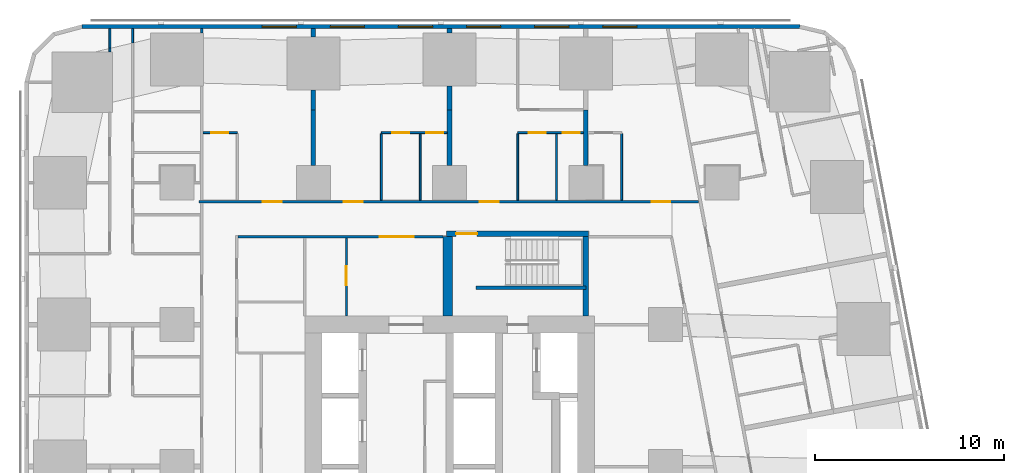
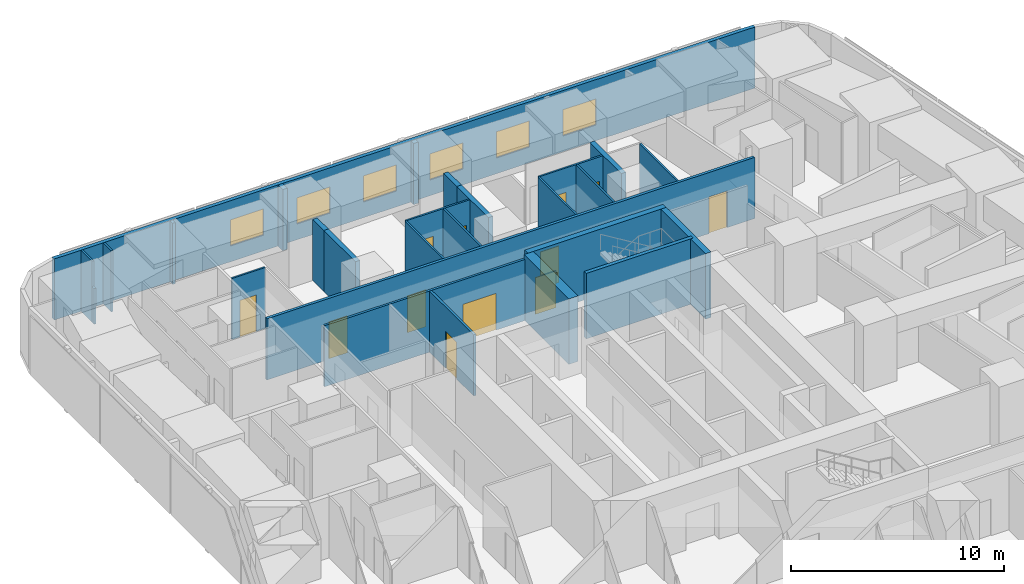
# One storey, part 9 of 15: 27 walls, 12 doors, 6 windows, 18 openings.
"""IFC4 building model written with IfcOpenShell, lengths in metres."""

import ifcopenshell
import ifcopenshell.guid

model = None  # the IFC model being written
_history = None  # IfcOwnerHistory: only IFC2X3 demands one
_inside = {}  # id of a spatial element -> (the spatial element, [elements in it])
_under = {}  # id of a project, library or spatial element -> (it, [spatial elements below it])
_declared = {}  # id of a project -> (the project, [libraries it declares])
_typed = {}  # id of a type object -> (the type object, [elements of that type])
_made_of = {}  # id of a material, layer set ... -> (it, [elements and type objects made of it])


def new_model(schema):
    """Start an empty IFC model of exactly this schema.

    Asked for "IFC4X3", IfcOpenShell would pick the latest addendum, in which some entities
    have other attributes; the version numbers below select the first issue.
    IFC2X3 requires an IfcOwnerHistory on every rooted entity: one is made here for all.
    """
    global model, _history
    if schema == "IFC4X3":
        model = ifcopenshell.file(schema_version=(4, 3, 0, 0))
    else:
        model = ifcopenshell.file(schema=schema)
    _inside.clear()
    _under.clear()
    _declared.clear()
    _typed.clear()
    _made_of.clear()
    _history = None
    if model.schema == "IFC2X3":
        org = make("IfcOrganization", Name="unknown")
        user = make(
            "IfcPersonAndOrganization",
            ThePerson=make("IfcPerson", FamilyName="unknown"),
            TheOrganization=org,
        )
        app = make(
            "IfcApplication",
            ApplicationDeveloper=org,
            Version="unknown",
            ApplicationFullName="unknown",
            ApplicationIdentifier="unknown",
        )
        _history = make(
            "IfcOwnerHistory",
            OwningUser=user,
            OwningApplication=app,
            ChangeAction="ADDED",
            CreationDate=0,
        )
    return model


def make(cls, **values):
    """One entity of the class cls with the attributes given. An attribute that is None is left unset."""
    return model.create_entity(
        cls, **{name: value for name, value in values.items() if value is not None}
    )


def rooted(cls, **values):
    """An entity with a GlobalId (a new one), such as an element, a storey or a relation."""
    return make(cls, GlobalId=ifcopenshell.guid.new(), OwnerHistory=_history, **values)


def si_unit(unit_type, name, prefix=None):
    """IfcSIUnit, for example si_unit("LENGTHUNIT", "METRE", prefix="MILLI")."""
    return make("IfcSIUnit", UnitType=unit_type, Prefix=prefix, Name=name)


def assignment(units):
    """IfcUnitAssignment: the units of a project."""
    return None if units is None else make("IfcUnitAssignment", Units=units)


def point(xyz):
    """IfcCartesianPoint."""
    return None if xyz is None else make("IfcCartesianPoint", Coordinates=xyz)


def direction(xyz):
    """IfcDirection."""
    return None if xyz is None else make("IfcDirection", DirectionRatios=xyz)


def frame(location, z_axis=None, x_axis=None):
    """IfcAxis2Placement3D, a coordinate frame: its origin and axes. An axis left out is left unset."""
    return make(
        "IfcAxis2Placement3D",
        Location=point(location),
        Axis=direction(z_axis),
        RefDirection=direction(x_axis),
    )


def frame_2d(location, x_axis=None):
    """IfcAxis2Placement2D, a coordinate frame in the plane: its origin and x axis."""
    return make(
        "IfcAxis2Placement2D", Location=point(location), RefDirection=direction(x_axis)
    )


def origin():
    """The frame at (0, 0, 0) with its axes left unset."""
    return frame((0.0, 0.0, 0.0))


def place(relative_to, where):
    """IfcLocalPlacement: puts the frame where relative to a parent placement (None: the world)."""
    return make(
        "IfcLocalPlacement", PlacementRelTo=relative_to, RelativePlacement=where
    )


def context(
    kind, dimensions, precision=None, world=None, true_north=None, identifier=None
):
    """IfcGeometricRepresentationContext, for example the 3D "Model" context."""
    return make(
        "IfcGeometricRepresentationContext",
        ContextIdentifier=identifier,
        ContextType=kind,
        CoordinateSpaceDimension=dimensions,
        Precision=precision,
        WorldCoordinateSystem=world,
        TrueNorth=true_north,
    )


def subcontext(parent, identifier, kind, view, scale=None):
    """IfcGeometricRepresentationSubContext, for example "Body" below "Model"."""
    return make(
        "IfcGeometricRepresentationSubContext",
        ContextIdentifier=identifier,
        ContextType=kind,
        ParentContext=parent,
        TargetScale=scale,
        TargetView=view,
    )


def project(units=None, contexts=None):
    """IfcProject with its units and contexts."""
    return rooted(
        "IfcProject",
        Name="project",
        RepresentationContexts=contexts,
        UnitsInContext=assignment(units),
    )


def spatial(cls, under=None, at=None, **own):
    """A site, building, storey or space (cls), placed at a placement, below another one or the project."""
    s = rooted(cls, ObjectPlacement=at, **own)
    if under is not None:
        _under.setdefault(under.id(), (under, []))[1].append(s)
    return s


def profile(cls, at=None, kind="AREA", **sizes):
    """A parametric profile (cls). Its sizes go by their IFC names, for example OverallWidth=200.0."""
    return make(cls, ProfileType=kind, Position=at, **sizes)


def rectangle(**sizes):
    """IfcRectangleProfileDef."""
    return profile("IfcRectangleProfileDef", **sizes)


def extrude(swept, where, along, depth):
    """IfcExtrudedAreaSolid: the profile swept, set in the frame where, extruded along a direction by depth."""
    return make(
        "IfcExtrudedAreaSolid",
        SweptArea=swept,
        Position=where,
        ExtrudedDirection=direction(along),
        Depth=depth,
    )


def shape(context_of_items, identifier, shape_type, items):
    """IfcShapeRepresentation: the items that make up one representation, for example the "Body"."""
    return make(
        "IfcShapeRepresentation",
        ContextOfItems=context_of_items,
        RepresentationIdentifier=identifier,
        RepresentationType=shape_type,
        Items=items,
    )


def material(Name=None, Category=None):
    """IfcMaterial."""
    return make("IfcMaterial", Name=Name, Category=Category)


def layer(
    of_material, thickness, ventilated=None, Name=None, Category=None, Priority=None
):
    """IfcMaterialLayer: one layer of a wall or slab, of a material (None: an air gap)."""
    return make(
        "IfcMaterialLayer",
        Material=of_material,
        LayerThickness=thickness,
        IsVentilated=ventilated,
        Name=Name,
        Category=Category,
        Priority=Priority,
    )


def layer_set(layers, Name=None):
    """IfcMaterialLayerSet."""
    return make("IfcMaterialLayerSet", MaterialLayers=layers, LayerSetName=Name)


def made_of(thing, what):
    """Note that an element or type object is made of a material, layer set ...; save() writes the relation."""
    if what is not None:
        _made_of.setdefault(what.id(), (what, []))[1].append(thing)
    return thing


def type_object(cls, material=None, **own):
    """A type object (cls), such as IfcWallType, which elements share."""
    return made_of(rooted(cls, **own), material)


def element(
    cls,
    number,
    at=None,
    inside=None,
    cuts=None,
    type_object=None,
    material=None,
    context=None,
    identifier="Body",
    shape_type=None,
    held_by="IfcProductDefinitionShape",
    body=None,
    shapes=None,
    **own,
):
    """One element of the class cls, such as IfcWall. Its Tag is "e" and its number.

    at: its placement. inside: the storey or other place that contains it. cuts: it is an
    opening in that element (IfcRelVoidsElement). A single representation is given by context,
    identifier, shape_type and body (its items); several are given by shapes. held_by: the class
    of the entity that holds the representations. save() writes the other relations.
    """
    e = rooted(cls, Tag="e%d" % number, ObjectPlacement=at, **own)
    if body is not None:
        shapes = [shape(context, identifier, shape_type, body)]
    if shapes is not None:
        e.Representation = make(held_by, Representations=shapes)
    if inside is not None:
        _inside.setdefault(inside.id(), (inside, []))[1].append(e)
    if cuts is not None:
        rooted(
            "IfcRelVoidsElement", RelatingBuildingElement=cuts, RelatedOpeningElement=e
        )
    if type_object is not None:
        _typed.setdefault(type_object.id(), (type_object, []))[1].append(e)
    return made_of(e, material)


def fill(opening, filler):
    """IfcRelFillsElement: the door or window that sits in an opening."""
    return rooted(
        "IfcRelFillsElement",
        RelatingOpeningElement=opening,
        RelatedBuildingElement=filler,
    )


def aggregate(whole, parts):
    """IfcRelAggregates: a whole, such as a stair, and the parts it consists of."""
    return rooted("IfcRelAggregates", RelatingObject=whole, RelatedObjects=parts)


def save(model, path):
    """Write the relations noted so far, then the file.

    IfcRelAggregates (storeys below a building ...), IfcRelContainedInSpatialStructure (elements
    in a storey), IfcRelDefinesByType, IfcRelAssociatesMaterial and IfcRelDeclares: one each for
    every whole, place, type object, material and project.
    """
    for whole, parts in _under.values():
        aggregate(whole, parts)
    for where, things in _inside.values():
        rooted(
            "IfcRelContainedInSpatialStructure",
            RelatedElements=things,
            RelatingStructure=where,
        )
    for kind, things in _typed.values():
        rooted("IfcRelDefinesByType", RelatedObjects=things, RelatingType=kind)
    for what, things in _made_of.values():
        rooted("IfcRelAssociatesMaterial", RelatedObjects=things, RelatingMaterial=what)
    for by, libraries in _declared.values():
        rooted("IfcRelDeclares", RelatingContext=by, RelatedDefinitions=libraries)
    model.write(path)


model = new_model("IFC4")

# Units and contexts
model_context = context("Model", 3, precision=1e-05, world=origin(), true_north=direction((0.0, 1.0)))
body_context = subcontext(model_context, "Body", "Model", "MODEL_VIEW")
ifc_project = project(units=[si_unit("LENGTHUNIT", "METRE"), si_unit("AREAUNIT", "SQUARE_METRE"), si_unit("VOLUMEUNIT", "CUBIC_METRE"), si_unit("PLANEANGLEUNIT", "RADIAN"), si_unit("MASSUNIT", "GRAM", prefix="KILO")], contexts=[model_context])

# Site, building, storey
site_placement = place(None, origin())
site = spatial("IfcSite", under=ifc_project, at=site_placement, CompositionType="ELEMENT")
building_placement = place(site_placement, origin())
building = spatial("IfcBuilding", under=site, at=building_placement, Name="Sheger Commons Tower", CompositionType="ELEMENT")
storey_placement = place(building_placement, frame((0.0, 0.0, 46.25)))
storey = spatial("IfcBuildingStorey", under=building, at=storey_placement, Name="L11", CompositionType="ELEMENT", Elevation=46.25)

# Wall
ifc_material_1 = material(Name="Hollow concrete block masonry, skimmed both sides", Category="masonry")
ifc_layer_1 = layer(ifc_material_1, 0.14990234375)
ifc_layer_set_1 = layer_set([ifc_layer_1], Name="CORRIDOR WALL 150")
wall_type_1 = type_object("IfcWallType", Name="CORRIDOR WALL 150", PredefinedType="SOLIDWALL", material=ifc_layer_set_1)
wall_1_placement = place(storey_placement, frame((8.5, 45.40087890625, 0.0), z_axis=(0.0, 0.0, 1.0), x_axis=(0.0, 1.0, 0.0)))
element("IfcWall", 1, at=wall_1_placement, inside=storey, type_object=wall_type_1, Name="Corridor wall L11", PredefinedType="SOLIDWALL", context=body_context, shape_type="SweptSolid", body=[
    extrude(rectangle(XDim=0.2490234375, YDim=0.14990234375, at=frame_2d((0.12451171875, 0.0))), origin(), (0.0, 0.0, 1.0), 3.5),
])

# Wall, openings, doors
wall_2_placement = place(storey_placement, frame((8.35009765625, 36.5, 0.0), z_axis=(0.0, 0.0, 1.0), x_axis=(1.0, 0.0, 0.0)))
wall_2 = element("IfcWall", 2, at=wall_2_placement, inside=storey, type_object=wall_type_1, Name="Corridor wall L11", PredefinedType="SOLIDWALL", context=body_context, shape_type="SweptSolid", body=[
    extrude(rectangle(XDim=26.414794921875, YDim=0.14990234375, at=frame_2d((13.20751953125, 0.0))), origin(), (0.0, 0.0, 1.0), 3.5),
])
opening_1_placement = place(wall_2_placement, frame((3.383056640625, 0.0, 0.0)))
opening_1 = element("IfcOpeningElement", 3, at=opening_1_placement, cuts=wall_2, Name="Opening D1", PredefinedType="OPENING", context=body_context, shape_type="SweptSolid", body=[
    extrude(rectangle(XDim=1.0, YDim=2.10009765625, at=frame_2d((0.5, 1.050048828125))), frame((0.0, 0.0849609375, 0.0), z_axis=(0.0, -1.0, 0.0), x_axis=(1.0, 0.0, 0.0)), (0.0, 0.0, 1.0), 0.169921875),
])
opening_2_placement = place(wall_2_placement, frame((7.64990234375, 0.0, 0.0)))
opening_2 = element("IfcOpeningElement", 4, at=opening_2_placement, cuts=wall_2, Name="Opening D1", PredefinedType="OPENING", context=body_context, shape_type="SweptSolid", body=[
    extrude(rectangle(XDim=1.0, YDim=2.10009765625, at=frame_2d((0.5, 1.050048828125))), frame((0.0, 0.0849609375, 0.0), z_axis=(0.0, -1.0, 0.0), x_axis=(1.0, 0.0, 0.0)), (0.0, 0.0, 1.0), 0.169921875),
])
opening_3_placement = place(wall_2_placement, frame((14.85009765625, 0.0, 0.0)))
opening_3 = element("IfcOpeningElement", 5, at=opening_3_placement, cuts=wall_2, Name="Opening D1", PredefinedType="OPENING", context=body_context, shape_type="SweptSolid", body=[
    extrude(rectangle(XDim=1.0, YDim=2.10009765625, at=frame_2d((0.5, 1.050048828125))), frame((0.0, 0.0849609375, 0.0), z_axis=(0.0, -1.0, 0.0), x_axis=(1.0, 0.0, 0.0)), (0.0, 0.0, 1.0), 0.169921875),
])
opening_4_placement = place(wall_2_placement, frame((23.923095703125, 0.0, 0.0)))
opening_4 = element("IfcOpeningElement", 6, at=opening_4_placement, cuts=wall_2, Name="Opening D1", PredefinedType="OPENING", context=body_context, shape_type="SweptSolid", body=[
    extrude(rectangle(XDim=1.0, YDim=2.10009765625, at=frame_2d((0.5, 1.050048828125))), frame((0.0, 0.0849609375, 0.0), z_axis=(0.0, -1.0, 0.0), x_axis=(1.0, 0.0, 0.0)), (0.0, 0.0, 1.0), 0.169921875),
])
ifc_material_2 = material(Name="Steel door set, fire rated", Category="steel")
door_type_1 = type_object("IfcDoorType", Name="FLAT ENTRANCE DOOR 1000x2100", OperationType="NOTDEFINED", PredefinedType="DOOR", material=ifc_material_2)
door_1_placement = place(opening_1_placement, origin())
door_1 = element("IfcDoor", 7, at=door_1_placement, inside=storey, type_object=door_type_1, Name="Flat entrance door", OperationType="SINGLE_SWING_RIGHT", OverallHeight=2.10009765625, OverallWidth=1.0, PredefinedType="DOOR", context=body_context, shape_type="SweptSolid", body=[
    extrude(rectangle(XDim=1.0, YDim=2.10009765625, at=frame_2d((0.5, 1.050048828125))), frame((0.0, 0.02490234375, 0.0), z_axis=(0.0, -1.0, 0.0), x_axis=(1.0, 0.0, 0.0)), (0.0, 0.0, 1.0), 0.050048828125),
])
fill(opening_1, door_1)
door_2_placement = place(opening_2_placement, origin())
door_2 = element("IfcDoor", 8, at=door_2_placement, inside=storey, type_object=door_type_1, Name="Flat entrance door", OperationType="SINGLE_SWING_RIGHT", OverallHeight=2.10009765625, OverallWidth=1.0, PredefinedType="DOOR", context=body_context, shape_type="SweptSolid", body=[
    extrude(rectangle(XDim=1.0, YDim=2.10009765625, at=frame_2d((0.5, 1.050048828125))), frame((0.0, 0.02490234375, 0.0), z_axis=(0.0, -1.0, 0.0), x_axis=(1.0, 0.0, 0.0)), (0.0, 0.0, 1.0), 0.050048828125),
])
fill(opening_2, door_2)
door_3_placement = place(opening_3_placement, origin())
door_3 = element("IfcDoor", 9, at=door_3_placement, inside=storey, type_object=door_type_1, Name="Flat entrance door", OperationType="SINGLE_SWING_RIGHT", OverallHeight=2.10009765625, OverallWidth=1.0, PredefinedType="DOOR", context=body_context, shape_type="SweptSolid", body=[
    extrude(rectangle(XDim=1.0, YDim=2.10009765625, at=frame_2d((0.5, 1.050048828125))), frame((0.0, 0.02490234375, 0.0), z_axis=(0.0, -1.0, 0.0), x_axis=(1.0, 0.0, 0.0)), (0.0, 0.0, 1.0), 0.050048828125),
])
fill(opening_3, door_3)
door_4_placement = place(opening_4_placement, origin())
door_4 = element("IfcDoor", 10, at=door_4_placement, inside=storey, type_object=door_type_1, Name="Flat entrance door", OperationType="SINGLE_SWING_RIGHT", OverallHeight=2.10009765625, OverallWidth=1.0, PredefinedType="DOOR", context=body_context, shape_type="SweptSolid", body=[
    extrude(rectangle(XDim=1.0, YDim=2.10009765625, at=frame_2d((0.5, 1.050048828125))), frame((0.0, 0.02490234375, 0.0), z_axis=(0.0, -1.0, 0.0), x_axis=(1.0, 0.0, 0.0)), (0.0, 0.0, 1.0), 0.050048828125),
])
fill(opening_4, door_4)

# Walls
ifc_material_3 = material(Name="Dense concrete block masonry, plastered both sides (separating wall between flats)", Category="masonry")
ifc_layer_2 = layer(ifc_material_3, 0.25)
ifc_layer_set_2 = layer_set([ifc_layer_2], Name="DEMISING WALL 250")
wall_type_2 = type_object("IfcWallType", Name="DEMISING WALL 250", PredefinedType="SOLIDWALL", material=ifc_layer_set_2)
wall_3_placement = place(storey_placement, frame((14.39990234375, 41.35009765625, 0.0), z_axis=(0.0, 0.0, 1.0), x_axis=(0.0, 1.0, 0.0)))
element("IfcWall", 11, at=wall_3_placement, inside=storey, type_object=wall_type_2, Name="Demising wall L11", PredefinedType="SOLIDWALL", context=body_context, shape_type="SweptSolid", body=[
    extrude(rectangle(XDim=1.048828125, YDim=0.25, at=frame_2d((0.5244140625, 0.0))), origin(), (0.0, 0.0, 1.0), 3.5),
])
wall_4_placement = place(storey_placement, frame((14.39990234375, 45.200927734375, 0.0), z_axis=(0.0, 0.0, 1.0), x_axis=(0.0, 1.0, 0.0)))
element("IfcWall", 12, at=wall_4_placement, inside=storey, type_object=wall_type_2, Name="Demising wall L11", PredefinedType="SOLIDWALL", context=body_context, shape_type="SweptSolid", body=[
    extrude(rectangle(XDim=0.448974609375, YDim=0.25, at=frame_2d((0.224609375, 0.0))), origin(), (0.0, 0.0, 1.0), 3.5),
])
wall_5_placement = place(storey_placement, frame((14.39990234375, 38.40087890625, 0.0), z_axis=(0.0, 0.0, 1.0), x_axis=(0.0, 1.0, 0.0)))
element("IfcWall", 13, at=wall_5_placement, inside=storey, type_object=wall_type_2, Name="Demising wall L11", PredefinedType="SOLIDWALL", context=body_context, shape_type="SweptSolid", body=[
    extrude(rectangle(XDim=2.94921875, YDim=0.25, at=frame_2d((1.474609375, 0.0))), origin(), (0.0, 0.0, 1.0), 3.5),
])
wall_6_placement = place(storey_placement, frame((21.60009765625, 41.35009765625, 0.0), z_axis=(0.0, 0.0, 1.0), x_axis=(0.0, 1.0, 0.0)))
element("IfcWall", 14, at=wall_6_placement, inside=storey, type_object=wall_type_2, Name="Demising wall L11", PredefinedType="SOLIDWALL", context=body_context, shape_type="SweptSolid", body=[
    extrude(rectangle(XDim=1.2490234375, YDim=0.25, at=frame_2d((0.62451171875, 0.0))), origin(), (0.0, 0.0, 1.0), 3.5),
])
wall_7_placement = place(storey_placement, frame((21.60009765625, 45.40087890625, 0.0), z_axis=(0.0, 0.0, 1.0), x_axis=(0.0, 1.0, 0.0)))
element("IfcWall", 15, at=wall_7_placement, inside=storey, type_object=wall_type_2, Name="Demising wall L11", PredefinedType="SOLIDWALL", context=body_context, shape_type="SweptSolid", body=[
    extrude(rectangle(XDim=0.2490234375, YDim=0.25, at=frame_2d((0.12451171875, 0.0))), origin(), (0.0, 0.0, 1.0), 3.5),
])
for number, where, z_axis, x_axis, name in (
    (16, (21.60009765625, 38.40087890625, 0.0), (0.0, 0.0, 1.0), (0.0, 1.0, 0.0), "Demising wall L11"),
    (17, (28.800048828125, 38.40087890625, 0.0), (0.0, 0.0, 1.0), (0.0, 1.0, 0.0), "Demising wall L11"),
):
    element("IfcWall", number, at=place(storey_placement, frame(where, z_axis=z_axis, x_axis=x_axis)), inside=storey, type_object=wall_type_2, Name=name, PredefinedType="SOLIDWALL", context=body_context, shape_type="SweptSolid", body=[
        extrude(rectangle(XDim=2.94921875, YDim=0.25, at=frame_2d((1.474609375, 0.0))), origin(), (0.0, 0.0, 1.0), 3.5),
    ])

# Wall, openings, windows
ifc_material_4 = material(Name="Rendered concrete block masonry, dark grey", Category="masonry")
ifc_layer_3 = layer(ifc_material_4, 0.199951171875)
ifc_layer_set_3 = layer_set([ifc_layer_3], Name="FACADE WALL 200")
wall_type_3 = type_object("IfcWallType", Name="FACADE WALL 200", PredefinedType="SOLIDWALL", material=ifc_layer_set_3)
wall_8_placement = place(storey_placement, frame((40.10595703125, 45.75, 0.0), z_axis=(0.0, 0.0, 1.0), x_axis=(-1.0, 0.0, 0.0)))
wall_8 = element("IfcWall", 18, at=wall_8_placement, inside=storey, type_object=wall_type_3, Name="Facade wall L11", PredefinedType="SOLIDWALL", context=body_context, shape_type="SweptSolid", body=[
    extrude(rectangle(XDim=37.94287109375, YDim=0.199951171875, at=frame_2d((18.971435546875, 0.0))), origin(), (0.0, 0.0, 1.0), 3.5),
])
opening_5_placement = place(wall_8_placement, frame((8.60595703125, 0.0, 0.89990234375)))
opening_5 = element("IfcOpeningElement", 19, at=opening_5_placement, cuts=wall_8, Name="Opening W2", PredefinedType="OPENING", context=body_context, shape_type="SweptSolid", body=[
    extrude(rectangle(XDim=1.800048828125, YDim=1.5, at=frame_2d((0.89990234375, 0.75))), frame((0.0, 0.10986328125, 0.0), z_axis=(0.0, -1.0, 0.0), x_axis=(1.0, 0.0, 0.0)), (0.0, 0.0, 1.0), 0.219970703125),
])
opening_6_placement = place(wall_8_placement, frame((12.2060546875, 0.0, 0.89990234375)))
opening_6 = element("IfcOpeningElement", 20, at=opening_6_placement, cuts=wall_8, Name="Opening W2", PredefinedType="OPENING", context=body_context, shape_type="SweptSolid", body=[
    extrude(rectangle(XDim=1.800048828125, YDim=1.5, at=frame_2d((0.89990234375, 0.75))), frame((0.0, 0.10986328125, 0.0), z_axis=(0.0, -1.0, 0.0), x_axis=(1.0, 0.0, 0.0)), (0.0, 0.0, 1.0), 0.219970703125),
])
opening_7_placement = place(wall_8_placement, frame((15.805908203125, 0.0, 0.89990234375)))
opening_7 = element("IfcOpeningElement", 21, at=opening_7_placement, cuts=wall_8, Name="Opening W2", PredefinedType="OPENING", context=body_context, shape_type="SweptSolid", body=[
    extrude(rectangle(XDim=1.800048828125, YDim=1.5, at=frame_2d((0.89990234375, 0.75))), frame((0.0, 0.10986328125, 0.0), z_axis=(0.0, -1.0, 0.0), x_axis=(1.0, 0.0, 0.0)), (0.0, 0.0, 1.0), 0.219970703125),
])
opening_8_placement = place(wall_8_placement, frame((19.406005859375, 0.0, 0.89990234375)))
opening_8 = element("IfcOpeningElement", 22, at=opening_8_placement, cuts=wall_8, Name="Opening W2", PredefinedType="OPENING", context=body_context, shape_type="SweptSolid", body=[
    extrude(rectangle(XDim=1.800048828125, YDim=1.5, at=frame_2d((0.89990234375, 0.75))), frame((0.0, 0.10986328125, 0.0), z_axis=(0.0, -1.0, 0.0), x_axis=(1.0, 0.0, 0.0)), (0.0, 0.0, 1.0), 0.219970703125),
])
opening_9_placement = place(wall_8_placement, frame((23.006103515625, 0.0, 0.89990234375)))
opening_9 = element("IfcOpeningElement", 23, at=opening_9_placement, cuts=wall_8, Name="Opening W2", PredefinedType="OPENING", context=body_context, shape_type="SweptSolid", body=[
    extrude(rectangle(XDim=1.800048828125, YDim=1.5, at=frame_2d((0.89990234375, 0.75))), frame((0.0, 0.10986328125, 0.0), z_axis=(0.0, -1.0, 0.0), x_axis=(1.0, 0.0, 0.0)), (0.0, 0.0, 1.0), 0.219970703125),
])
opening_10_placement = place(wall_8_placement, frame((26.60595703125, 0.0, 0.89990234375)))
opening_10 = element("IfcOpeningElement", 24, at=opening_10_placement, cuts=wall_8, Name="Opening W2", PredefinedType="OPENING", context=body_context, shape_type="SweptSolid", body=[
    extrude(rectangle(XDim=1.800048828125, YDim=1.5, at=frame_2d((0.89990234375, 0.75))), frame((0.0, 0.10986328125, 0.0), z_axis=(0.0, -1.0, 0.0), x_axis=(1.0, 0.0, 0.0)), (0.0, 0.0, 1.0), 0.219970703125),
])
ifc_material_5 = material(Name="Black aluminium frame, dark tinted double glazing", Category="aluminium")
window_type = type_object("IfcWindowType", Name="WINDOW W2 1800x1500", PartitioningType="SINGLE_PANEL", PredefinedType="WINDOW", material=ifc_material_5)
window_1_placement = place(opening_5_placement, origin())
window_1 = element("IfcWindow", 25, at=window_1_placement, inside=storey, type_object=window_type, Name="Window W2 1800X1500", OverallHeight=1.5, OverallWidth=1.800048828125, PartitioningType="SINGLE_PANEL", PredefinedType="WINDOW", context=body_context, shape_type="SweptSolid", body=[
    extrude(rectangle(XDim=1.800048828125, YDim=1.5, at=frame_2d((0.89990234375, 0.75))), frame((0.0, 0.030029296875, 0.0), z_axis=(0.0, -1.0, 0.0), x_axis=(1.0, 0.0, 0.0)), (0.0, 0.0, 1.0), 0.06005859375),
])
fill(opening_5, window_1)
window_2_placement = place(opening_6_placement, origin())
window_2 = element("IfcWindow", 26, at=window_2_placement, inside=storey, type_object=window_type, Name="Window W2 1800X1500", OverallHeight=1.5, OverallWidth=1.800048828125, PartitioningType="SINGLE_PANEL", PredefinedType="WINDOW", context=body_context, shape_type="SweptSolid", body=[
    extrude(rectangle(XDim=1.800048828125, YDim=1.5, at=frame_2d((0.89990234375, 0.75))), frame((0.0, 0.030029296875, 0.0), z_axis=(0.0, -1.0, 0.0), x_axis=(1.0, 0.0, 0.0)), (0.0, 0.0, 1.0), 0.06005859375),
])
fill(opening_6, window_2)
window_3_placement = place(opening_7_placement, origin())
window_3 = element("IfcWindow", 27, at=window_3_placement, inside=storey, type_object=window_type, Name="Window W2 1800X1500", OverallHeight=1.5, OverallWidth=1.800048828125, PartitioningType="SINGLE_PANEL", PredefinedType="WINDOW", context=body_context, shape_type="SweptSolid", body=[
    extrude(rectangle(XDim=1.800048828125, YDim=1.5, at=frame_2d((0.89990234375, 0.75))), frame((0.0, 0.030029296875, 0.0), z_axis=(0.0, -1.0, 0.0), x_axis=(1.0, 0.0, 0.0)), (0.0, 0.0, 1.0), 0.06005859375),
])
fill(opening_7, window_3)
window_4_placement = place(opening_8_placement, origin())
window_4 = element("IfcWindow", 28, at=window_4_placement, inside=storey, type_object=window_type, Name="Window W2 1800X1500", OverallHeight=1.5, OverallWidth=1.800048828125, PartitioningType="SINGLE_PANEL", PredefinedType="WINDOW", context=body_context, shape_type="SweptSolid", body=[
    extrude(rectangle(XDim=1.800048828125, YDim=1.5, at=frame_2d((0.89990234375, 0.75))), frame((0.0, 0.030029296875, 0.0), z_axis=(0.0, -1.0, 0.0), x_axis=(1.0, 0.0, 0.0)), (0.0, 0.0, 1.0), 0.06005859375),
])
fill(opening_8, window_4)
window_5_placement = place(opening_9_placement, origin())
window_5 = element("IfcWindow", 29, at=window_5_placement, inside=storey, type_object=window_type, Name="Window W2 1800X1500", OverallHeight=1.5, OverallWidth=1.800048828125, PartitioningType="SINGLE_PANEL", PredefinedType="WINDOW", context=body_context, shape_type="SweptSolid", body=[
    extrude(rectangle(XDim=1.800048828125, YDim=1.5, at=frame_2d((0.89990234375, 0.75))), frame((0.0, 0.030029296875, 0.0), z_axis=(0.0, -1.0, 0.0), x_axis=(1.0, 0.0, 0.0)), (0.0, 0.0, 1.0), 0.06005859375),
])
fill(opening_9, window_5)
window_6_placement = place(opening_10_placement, origin())
window_6 = element("IfcWindow", 30, at=window_6_placement, inside=storey, type_object=window_type, Name="Window W2 1800X1500", OverallHeight=1.5, OverallWidth=1.800048828125, PartitioningType="SINGLE_PANEL", PredefinedType="WINDOW", context=body_context, shape_type="SweptSolid", body=[
    extrude(rectangle(XDim=1.800048828125, YDim=1.5, at=frame_2d((0.89990234375, 0.75))), frame((0.0, 0.030029296875, 0.0), z_axis=(0.0, -1.0, 0.0), x_axis=(1.0, 0.0, 0.0)), (0.0, 0.0, 1.0), 0.06005859375),
])
fill(opening_10, window_6)

# Walls
ifc_material_6 = material(Name="Gypsum board on steel studs", Category="steel")
ifc_layer_4 = layer(ifc_material_6, 0.10009765625)
ifc_layer_set_4 = layer_set([ifc_layer_4], Name="PARTITION 100")
wall_type_4 = type_object("IfcWallType", Name="PARTITION 100", PredefinedType="PARTITIONING", material=ifc_layer_set_4)
wall_9_placement = place(storey_placement, frame((3.64990234375, 44.4150390625, 0.0), z_axis=(0.0, 0.0, 1.0), x_axis=(0.0, 1.0, 0.0)))
element("IfcWall", 31, at=wall_9_placement, inside=storey, type_object=wall_type_4, Name="Partition L11", PredefinedType="PARTITIONING", context=body_context, shape_type="SweptSolid", body=[
    extrude(rectangle(XDim=0.196044921875, YDim=0.10009765625, at=frame_2d((0.09814453125, 0.0))), origin(), (0.0, 0.0, 1.0), 2.050048828125),
])
wall_10_placement = place(storey_placement, frame((3.64990234375, 44.611083984375, 0.0), z_axis=(0.0, 0.0, 1.0), x_axis=(0.0, 1.0, 0.0)))
element("IfcWall", 32, at=wall_10_placement, inside=storey, type_object=wall_type_4, Name="Partition L11", PredefinedType="PARTITIONING", context=body_context, shape_type="SweptSolid", body=[
    extrude(rectangle(XDim=1.038818359375, YDim=0.10009765625, at=frame_2d((0.51953125, 0.0))), origin(), (0.0, 0.0, 1.0), 3.5),
])
wall_11_placement = place(storey_placement, frame((4.85009765625, 44.89501953125, 0.0), z_axis=(0.0, 0.0, 1.0), x_axis=(0.0, 1.0, 0.0)))
element("IfcWall", 33, at=wall_11_placement, inside=storey, type_object=wall_type_4, Name="Partition L11", PredefinedType="PARTITIONING", context=body_context, shape_type="SweptSolid", body=[
    extrude(rectangle(XDim=0.7548828125, YDim=0.10009765625, at=frame_2d((0.37744140625, 0.0))), origin(), (0.0, 0.0, 1.0), 3.5),
])

# Wall, opening, door
wall_12_placement = place(storey_placement, frame((8.574951171875, 40.14990234375, 0.0), z_axis=(0.0, 0.0, 1.0), x_axis=(1.0, 0.0, 0.0)))
wall_12 = element("IfcWall", 34, at=wall_12_placement, inside=storey, type_object=wall_type_4, Name="Partition L11", PredefinedType="PARTITIONING", context=body_context, shape_type="SweptSolid", body=[
    extrude(rectangle(XDim=1.81494140625, YDim=0.10009765625, at=frame_2d((0.907470703125, 0.0))), origin(), (0.0, 0.0, 1.0), 3.5),
])
opening_11_placement = place(wall_12_placement, frame((0.425048828125, 0.0, 0.0)))
opening_11 = element("IfcOpeningElement", 35, at=opening_11_placement, cuts=wall_12, Name="Opening D2", PredefinedType="OPENING", context=body_context, shape_type="SweptSolid", body=[
    extrude(rectangle(XDim=0.89990234375, YDim=2.10009765625, at=frame_2d((0.449951171875, 1.050048828125))), frame((0.0, 0.06005859375, 0.0), z_axis=(0.0, -1.0, 0.0), x_axis=(1.0, 0.0, 0.0)), (0.0, 0.0, 1.0), 0.1201171875),
])
ifc_material_7 = material(Name="Timber door set", Category="wood")
door_type_2 = type_object("IfcDoorType", Name="INTERNAL DOOR 900x2100", OperationType="NOTDEFINED", PredefinedType="DOOR", material=ifc_material_7)
door_5_placement = place(opening_11_placement, origin())
door_5 = element("IfcDoor", 36, at=door_5_placement, inside=storey, type_object=door_type_2, Name="Shower room door", OperationType="SINGLE_SWING_RIGHT", OverallHeight=2.10009765625, OverallWidth=0.89990234375, PredefinedType="DOOR", context=body_context, shape_type="SweptSolid", body=[
    extrude(rectangle(XDim=0.89990234375, YDim=2.10009765625, at=frame_2d((0.449951171875, 1.050048828125))), frame((0.0, 0.02490234375, 0.0), z_axis=(0.0, -1.0, 0.0), x_axis=(1.0, 0.0, 0.0)), (0.0, 0.0, 1.0), 0.050048828125),
])
fill(opening_11, door_5)

# Wall, openings, doors
wall_13_placement = place(storey_placement, frame((18.0, 40.14990234375, 0.0), z_axis=(0.0, 0.0, 1.0), x_axis=(1.0, 0.0, 0.0)))
wall_13 = element("IfcWall", 37, at=wall_13_placement, inside=storey, type_object=wall_type_4, Name="Partition L11", PredefinedType="PARTITIONING", context=body_context, shape_type="SweptSolid", body=[
    extrude(rectangle(XDim=3.47509765625, YDim=0.10009765625, at=frame_2d((1.737548828125, 0.0))), origin(), (0.0, 0.0, 1.0), 3.5),
])
opening_12_placement = place(wall_13_placement, frame((0.574951171875, 0.0, 0.0)))
opening_12 = element("IfcOpeningElement", 38, at=opening_12_placement, cuts=wall_13, Name="Opening D2", PredefinedType="OPENING", context=body_context, shape_type="SweptSolid", body=[
    extrude(rectangle(XDim=0.89990234375, YDim=2.10009765625, at=frame_2d((0.449951171875, 1.050048828125))), frame((0.0, 0.06005859375, 0.0), z_axis=(0.0, -1.0, 0.0), x_axis=(1.0, 0.0, 0.0)), (0.0, 0.0, 1.0), 0.1201171875),
])
opening_13_placement = place(wall_13_placement, frame((2.375, 0.0, 0.0)))
opening_13 = element("IfcOpeningElement", 39, at=opening_13_placement, cuts=wall_13, Name="Opening D2", PredefinedType="OPENING", context=body_context, shape_type="SweptSolid", body=[
    extrude(rectangle(XDim=0.89990234375, YDim=2.10009765625, at=frame_2d((0.449951171875, 1.050048828125))), frame((0.0, 0.06005859375, 0.0), z_axis=(0.0, -1.0, 0.0), x_axis=(1.0, 0.0, 0.0)), (0.0, 0.0, 1.0), 0.1201171875),
])
door_6_placement = place(opening_12_placement, origin())
door_6 = element("IfcDoor", 40, at=door_6_placement, inside=storey, type_object=door_type_2, Name="Bathroom door", OperationType="SINGLE_SWING_RIGHT", OverallHeight=2.10009765625, OverallWidth=0.89990234375, PredefinedType="DOOR", context=body_context, shape_type="SweptSolid", body=[
    extrude(rectangle(XDim=0.89990234375, YDim=2.10009765625, at=frame_2d((0.449951171875, 1.050048828125))), frame((0.0, 0.02490234375, 0.0), z_axis=(0.0, -1.0, 0.0), x_axis=(1.0, 0.0, 0.0)), (0.0, 0.0, 1.0), 0.050048828125),
])
fill(opening_12, door_6)
door_7_placement = place(opening_13_placement, origin())
door_7 = element("IfcDoor", 41, at=door_7_placement, inside=storey, type_object=door_type_2, Name="Store door", OperationType="SINGLE_SWING_LEFT", OverallHeight=2.10009765625, OverallWidth=0.89990234375, PredefinedType="DOOR", context=body_context, shape_type="SweptSolid", body=[
    extrude(rectangle(XDim=0.89990234375, YDim=2.10009765625, at=frame_2d((0.449951171875, 1.050048828125))), frame((0.0, 0.02490234375, 0.0), z_axis=(0.0, -1.0, 0.0), x_axis=(1.0, 0.0, 0.0)), (0.0, 0.0, 1.0), 0.050048828125),
])
fill(opening_13, door_7)

# Walls
for number, where, z_axis, x_axis, name in (
    (42, (18.0, 36.574951171875, 0.0), (0.0, 0.0, 1.0), (0.0, 1.0, 0.0), "Partition L11"),
    (43, (20.050048828125, 36.574951171875, 0.0), (0.0, 0.0, 1.0), (0.0, 1.0, 0.0), "Partition L11"),
):
    element("IfcWall", number, at=place(storey_placement, frame(where, z_axis=z_axis, x_axis=x_axis)), inside=storey, type_object=wall_type_4, Name=name, PredefinedType="PARTITIONING", context=body_context, shape_type="SweptSolid", body=[
        extrude(rectangle(XDim=3.525146484375, YDim=0.10009765625, at=frame_2d((1.7626953125, 0.0))), origin(), (0.0, 0.0, 1.0), 3.5),
    ])

# Wall, openings, doors
wall_14_placement = place(storey_placement, frame((25.199951171875, 40.14990234375, 0.0), z_axis=(0.0, 0.0, 1.0), x_axis=(1.0, 0.0, 0.0)))
wall_14 = element("IfcWall", 44, at=wall_14_placement, inside=storey, type_object=wall_type_4, Name="Partition L11", PredefinedType="PARTITIONING", context=body_context, shape_type="SweptSolid", body=[
    extrude(rectangle(XDim=3.47509765625, YDim=0.10009765625, at=frame_2d((1.737548828125, 0.0))), origin(), (0.0, 0.0, 1.0), 3.5),
])
opening_14_placement = place(wall_14_placement, frame((0.574951171875, 0.0, 0.0)))
opening_14 = element("IfcOpeningElement", 45, at=opening_14_placement, cuts=wall_14, Name="Opening D2", PredefinedType="OPENING", context=body_context, shape_type="SweptSolid", body=[
    extrude(rectangle(XDim=0.89990234375, YDim=2.10009765625, at=frame_2d((0.449951171875, 1.050048828125))), frame((0.0, 0.06005859375, 0.0), z_axis=(0.0, -1.0, 0.0), x_axis=(1.0, 0.0, 0.0)), (0.0, 0.0, 1.0), 0.1201171875),
])
opening_15_placement = place(wall_14_placement, frame((2.375, 0.0, 0.0)))
opening_15 = element("IfcOpeningElement", 46, at=opening_15_placement, cuts=wall_14, Name="Opening D2", PredefinedType="OPENING", context=body_context, shape_type="SweptSolid", body=[
    extrude(rectangle(XDim=0.89990234375, YDim=2.10009765625, at=frame_2d((0.449951171875, 1.050048828125))), frame((0.0, 0.06005859375, 0.0), z_axis=(0.0, -1.0, 0.0), x_axis=(1.0, 0.0, 0.0)), (0.0, 0.0, 1.0), 0.1201171875),
])
door_8_placement = place(opening_14_placement, origin())
door_8 = element("IfcDoor", 47, at=door_8_placement, inside=storey, type_object=door_type_2, Name="Bathroom door", OperationType="SINGLE_SWING_RIGHT", OverallHeight=2.10009765625, OverallWidth=0.89990234375, PredefinedType="DOOR", context=body_context, shape_type="SweptSolid", body=[
    extrude(rectangle(XDim=0.89990234375, YDim=2.10009765625, at=frame_2d((0.449951171875, 1.050048828125))), frame((0.0, 0.02490234375, 0.0), z_axis=(0.0, -1.0, 0.0), x_axis=(1.0, 0.0, 0.0)), (0.0, 0.0, 1.0), 0.050048828125),
])
fill(opening_14, door_8)
door_9_placement = place(opening_15_placement, origin())
door_9 = element("IfcDoor", 48, at=door_9_placement, inside=storey, type_object=door_type_2, Name="Store door", OperationType="SINGLE_SWING_LEFT", OverallHeight=2.10009765625, OverallWidth=0.89990234375, PredefinedType="DOOR", context=body_context, shape_type="SweptSolid", body=[
    extrude(rectangle(XDim=0.89990234375, YDim=2.10009765625, at=frame_2d((0.449951171875, 1.050048828125))), frame((0.0, 0.02490234375, 0.0), z_axis=(0.0, -1.0, 0.0), x_axis=(1.0, 0.0, 0.0)), (0.0, 0.0, 1.0), 0.050048828125),
])
fill(opening_15, door_9)

# Walls
for number, where, z_axis, x_axis, name in (
    (49, (25.199951171875, 36.574951171875, 0.0), (0.0, 0.0, 1.0), (0.0, 1.0, 0.0), "Partition L11"),
    (50, (27.25, 36.574951171875, 0.0), (0.0, 0.0, 1.0), (0.0, 1.0, 0.0), "Partition L11"),
    (51, (30.68994140625, 36.574951171875, 0.0), (0.0, 0.0, 1.0), (0.0, 1.0, 0.0), "Partition L11"),
):
    element("IfcWall", number, at=place(storey_placement, frame(where, z_axis=z_axis, x_axis=x_axis)), inside=storey, type_object=wall_type_4, Name=name, PredefinedType="PARTITIONING", context=body_context, shape_type="SweptSolid", body=[
        extrude(rectangle(XDim=3.525146484375, YDim=0.10009765625, at=frame_2d((1.7626953125, 0.0))), origin(), (0.0, 0.0, 1.0), 3.5),
    ])

# Wall, opening, door
ifc_material_8 = material(Name="Gypsum board on steel studs, two layers each side, fire rated", Category="steel")
ifc_layer_5 = layer(ifc_material_8, 0.125)
ifc_layer_set_5 = layer_set([ifc_layer_5], Name="SERVICE WALL 125")
wall_type_5 = type_object("IfcWallType", Name="SERVICE WALL 125", PredefinedType="PARTITIONING", material=ifc_layer_set_5)
wall_15_placement = place(storey_placement, frame((10.4130859375, 34.64990234375, 0.0), z_axis=(0.0, 0.0, 1.0), x_axis=(1.0, 0.0, 0.0)))
wall_15 = element("IfcWall", 52, at=wall_15_placement, inside=storey, type_object=wall_type_5, Name="Service room wall L11", PredefinedType="PARTITIONING", context=body_context, shape_type="SweptSolid", body=[
    extrude(rectangle(XDim=10.8369140625, YDim=0.125, at=frame_2d((5.41845703125, 0.0))), origin(), (0.0, 0.0, 1.0), 3.5),
])
opening_16_placement = place(wall_15_placement, frame((7.487060546875, 0.0, 0.0)))
opening_16 = element("IfcOpeningElement", 53, at=opening_16_placement, cuts=wall_15, Name="Opening D6", PredefinedType="OPENING", context=body_context, shape_type="SweptSolid", body=[
    extrude(rectangle(XDim=1.800048828125, YDim=2.10009765625, at=frame_2d((0.89990234375, 1.050048828125))), frame((0.0, 0.072509765625, 0.0), z_axis=(0.0, -1.0, 0.0), x_axis=(1.0, 0.0, 0.0)), (0.0, 0.0, 1.0), 0.14501953125),
])
ifc_material_9 = material(Name="Steel door set, fire rated", Category="steel")
door_type_3 = type_object("IfcDoorType", Name="LOBBY DOUBLE DOOR 1800x2100", OperationType="DOUBLE_DOOR_SINGLE_SWING", PredefinedType="DOOR", material=ifc_material_9)
door_10_placement = place(opening_16_placement, origin())
door_10 = element("IfcDoor", 54, at=door_10_placement, inside=storey, type_object=door_type_3, Name="Lift lobby north door", OperationType="DOUBLE_DOOR_SINGLE_SWING", OverallHeight=2.10009765625, OverallWidth=1.800048828125, PredefinedType="DOOR", context=body_context, shape_type="SweptSolid", body=[
    extrude(rectangle(XDim=1.800048828125, YDim=2.10009765625, at=frame_2d((0.89990234375, 1.050048828125))), frame((0.0, 0.02490234375, 0.0), z_axis=(0.0, -1.0, 0.0), x_axis=(1.0, 0.0, 0.0)), (0.0, 0.0, 1.0), 0.050048828125),
])
fill(opening_16, door_10)

wall_16_placement = place(storey_placement, frame((16.14990234375, 30.449951171875, 0.0), z_axis=(0.0, 0.0, 1.0), x_axis=(0.0, 1.0, 0.0)))
wall_16 = element("IfcWall", 55, at=wall_16_placement, inside=storey, type_object=wall_type_5, Name="Service room wall L11", PredefinedType="PARTITIONING", context=body_context, shape_type="SweptSolid", body=[
    extrude(rectangle(XDim=4.136962890625, YDim=0.125, at=frame_2d((2.068359375, 0.0))), origin(), (0.0, 0.0, 1.0), 3.5),
])
opening_17_placement = place(wall_16_placement, frame((1.625, 0.0, 0.0)))
opening_17 = element("IfcOpeningElement", 56, at=opening_17_placement, cuts=wall_16, Name="Opening D4", PredefinedType="OPENING", context=body_context, shape_type="SweptSolid", body=[
    extrude(rectangle(XDim=1.0, YDim=2.10009765625, at=frame_2d((0.5, 1.050048828125))), frame((0.0, 0.072509765625, 0.0), z_axis=(0.0, -1.0, 0.0), x_axis=(1.0, 0.0, 0.0)), (0.0, 0.0, 1.0), 0.14501953125),
])
ifc_material_10 = material(Name="Steel door set, fire rated", Category="steel")
door_type_4 = type_object("IfcDoorType", Name="SERVICE DOOR 1000x2100", OperationType="NOTDEFINED", PredefinedType="DOOR", material=ifc_material_10)
door_11_placement = place(opening_17_placement, origin())
door_11 = element("IfcDoor", 57, at=door_11_placement, inside=storey, type_object=door_type_4, Name="Telecom room door", OperationType="SINGLE_SWING_RIGHT", OverallHeight=2.10009765625, OverallWidth=1.0, PredefinedType="DOOR", context=body_context, shape_type="SweptSolid", body=[
    extrude(rectangle(XDim=1.0, YDim=2.10009765625, at=frame_2d((0.5, 1.050048828125))), frame((0.0, 0.02490234375, 0.0), z_axis=(0.0, -1.0, 0.0), x_axis=(1.0, 0.0, 0.0)), (0.0, 0.0, 1.0), 0.050048828125),
])
fill(opening_17, door_11)

ifc_material_11 = material(Name="Concrete C50/60", Category="concrete")
ifc_layer_6 = layer(ifc_material_11, 0.300048828125)
ifc_layer_set_6 = layer_set([ifc_layer_6], Name="STAIR CORE WALL 300")
wall_type_6 = type_object("IfcWallType", Name="STAIR CORE WALL 300", PredefinedType="SHEAR", material=ifc_layer_set_6)
wall_17_placement = place(storey_placement, frame((21.449951171875, 34.800048828125, 0.0), z_axis=(0.0, 0.0, 1.0), x_axis=(1.0, 0.0, 0.0)))
wall_17 = element("IfcWall", 58, at=wall_17_placement, inside=storey, type_object=wall_type_6, Name="STW-L11-S2N", PredefinedType="SHEAR", context=body_context, shape_type="SweptSolid", body=[
    extrude(rectangle(XDim=7.5, YDim=0.300048828125, at=frame_2d((3.75, 0.0))), origin(), (0.0, 0.0, 1.0), 3.75),
])
opening_18_placement = place(wall_17_placement, frame((0.5, 0.0, 0.0)))
opening_18 = element("IfcOpeningElement", 59, at=opening_18_placement, cuts=wall_17, Name="Opening D5", PredefinedType="OPENING", context=body_context, shape_type="SweptSolid", body=[
    extrude(rectangle(XDim=1.10009765625, YDim=2.10009765625, at=frame_2d((0.550048828125, 1.050048828125))), frame((0.0, 0.159912109375, 0.0), z_axis=(0.0, -1.0, 0.0), x_axis=(1.0, 0.0, 0.0)), (0.0, 0.0, 1.0), 0.320068359375),
])
ifc_material_12 = material(Name="Steel door set, fire rated", Category="steel")
door_type_5 = type_object("IfcDoorType", Name="STAIR DOOR 1100x2100", OperationType="NOTDEFINED", PredefinedType="DOOR", material=ifc_material_12)
door_12_placement = place(opening_18_placement, origin())
door_12 = element("IfcDoor", 60, at=door_12_placement, inside=storey, type_object=door_type_5, Name="Stair S2 door", OperationType="SINGLE_SWING_RIGHT", OverallHeight=2.10009765625, OverallWidth=1.10009765625, PredefinedType="DOOR", context=body_context, shape_type="SweptSolid", body=[
    extrude(rectangle(XDim=1.10009765625, YDim=2.10009765625, at=frame_2d((0.550048828125, 1.050048828125))), frame((0.0, 0.02490234375, 0.0), z_axis=(0.0, -1.0, 0.0), x_axis=(1.0, 0.0, 0.0)), (0.0, 0.0, 1.0), 0.050048828125),
])
fill(opening_18, door_12)

# Walls
wall_18_placement = place(storey_placement, frame((28.800048828125, 30.449951171875, 0.0), z_axis=(0.0, 0.0, 1.0), x_axis=(0.0, 1.0, 0.0)))
element("IfcWall", 61, at=wall_18_placement, inside=storey, type_object=wall_type_6, Name="STW-L11-S2E", PredefinedType="SHEAR", context=body_context, shape_type="SweptSolid", body=[
    extrude(rectangle(XDim=4.199951171875, YDim=0.300048828125, at=frame_2d((2.10009765625, 0.0))), origin(), (0.0, 0.0, 1.0), 3.75),
])
ifc_material_13 = material(Name="Concrete C50/60", Category="concrete")
ifc_layer_7 = layer(ifc_material_13, 0.5)
ifc_layer_set_7 = layer_set([ifc_layer_7], Name="STAIR CORE WALL 500")
wall_type_7 = type_object("IfcWallType", Name="STAIR CORE WALL 500", PredefinedType="SHEAR", material=ifc_layer_set_7)
wall_19_placement = place(storey_placement, frame((21.5, 30.449951171875, 0.0), z_axis=(0.0, 0.0, 1.0), x_axis=(0.0, 1.0, 0.0)))
element("IfcWall", 62, at=wall_19_placement, inside=storey, type_object=wall_type_7, Name="STW-L11-S2W", PredefinedType="SHEAR", context=body_context, shape_type="SweptSolid", body=[
    extrude(rectangle(XDim=4.199951171875, YDim=0.5, at=frame_2d((2.10009765625, 0.0))), origin(), (0.0, 0.0, 1.0), 3.75),
])
ifc_material_14 = material(Name="Concrete C50/60", Category="concrete")
ifc_layer_8 = layer(ifc_material_14, 0.199951171875)
ifc_layer_set_8 = layer_set([ifc_layer_8], Name="STAIR SPINE WALL 200")
wall_type_8 = type_object("IfcWallType", Name="STAIR SPINE WALL 200", PredefinedType="SHEAR", material=ifc_layer_set_8)
wall_20_placement = place(storey_placement, frame((23.0, 31.949951171875, 0.0), z_axis=(0.0, 0.0, 1.0), x_axis=(1.0, 0.0, 0.0)))
element("IfcWall", 63, at=wall_20_placement, inside=storey, type_object=wall_type_8, Name="Stair spine wall L11", PredefinedType="SHEAR", context=body_context, shape_type="SweptSolid", body=[
    extrude(rectangle(XDim=5.800048828125, YDim=0.199951171875, at=frame_2d((2.89990234375, 0.0))), origin(), (0.0, 0.0, 1.0), 3.75),
])

save(model, "model.ifc")
